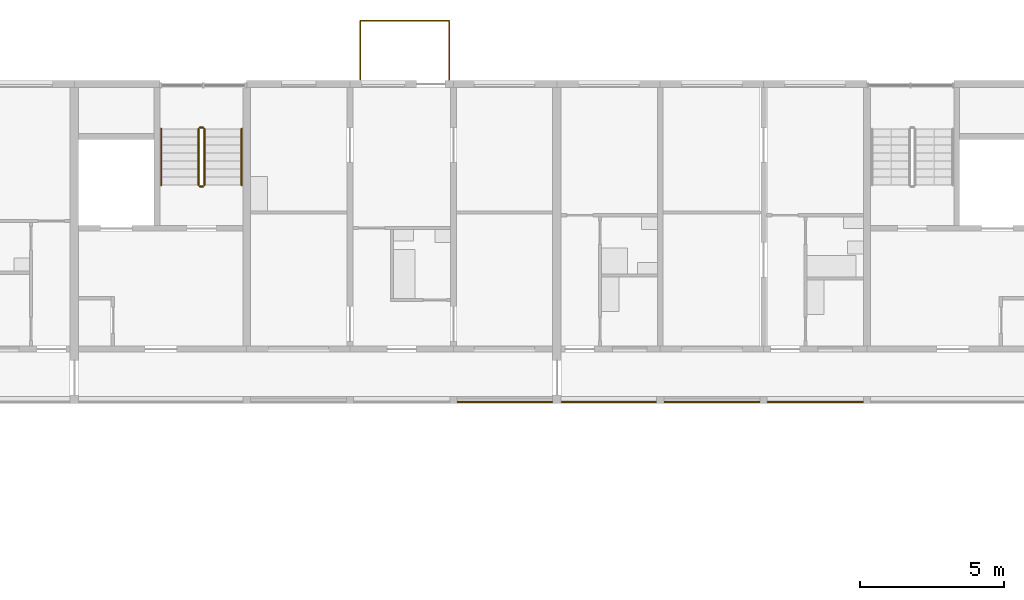
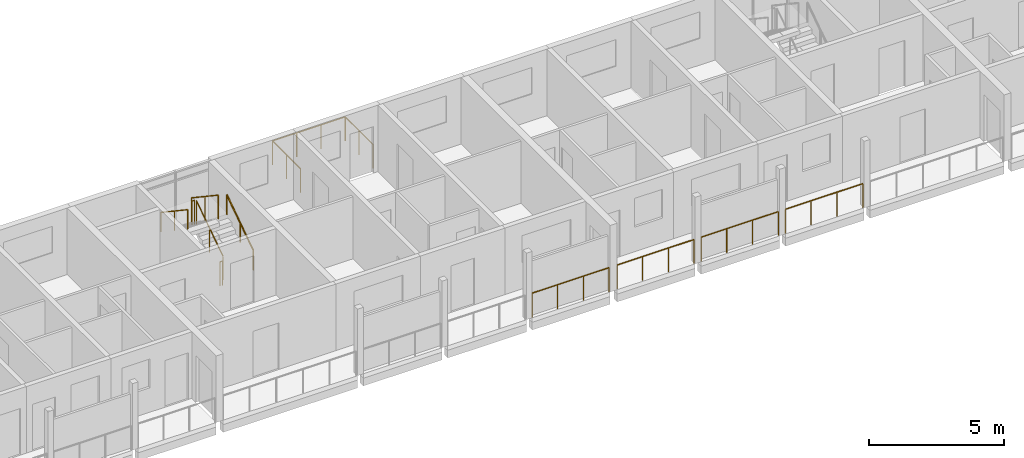
# One storey, part 100 of 115: 11 railings.
"""IFC4 building model written with IfcOpenShell, lengths in metres."""

from ifc_helpers import new_model, si_unit, direction, frame, origin, origin_2d, place, context, subcontext, project, spatial, circle, extrude, material, type_object, element, save


model = new_model("IFC4")

# Units and contexts
model_context = context("Model", 3, precision=1e-05, world=origin(), true_north=direction((0.0, 1.0)))
body_context = subcontext(model_context, "Body", "Model", "MODEL_VIEW")
ifc_project = project(units=[si_unit("LENGTHUNIT", "METRE"), si_unit("AREAUNIT", "SQUARE_METRE"), si_unit("VOLUMEUNIT", "CUBIC_METRE"), si_unit("PLANEANGLEUNIT", "RADIAN"), si_unit("MASSUNIT", "GRAM", prefix="KILO")], contexts=[model_context])

# Site, building, storey
site_placement = place(None, origin())
site = spatial("IfcSite", under=ifc_project, at=site_placement, CompositionType="ELEMENT")
building_placement = place(site_placement, origin())
building = spatial("IfcBuilding", under=site, at=building_placement, Name="Ridgestep Commons", CompositionType="ELEMENT")
storey_placement = place(building_placement, frame((0.0, 0.0, 6.0)))
storey = spatial("IfcBuildingStorey", under=building, at=storey_placement, Name="L02", CompositionType="ELEMENT", Elevation=6.0)

# Railings
ifc_material_1 = material(Name="Structural steel S355JR", Category="steel")
railing_type_1 = type_object("IfcRailingType", Name="Guard 1100", PredefinedType="GUARDRAIL", material=ifc_material_1)
for number, where, name in (
    (1, (58.946044921875, 66.050048828125, 0.0), "Gallery guard B 02.12"),
    (2, (62.571044921875, 66.050048828125, 0.0), "Gallery guard B 02.13"),
):
    element("IfcRailing", number, at=place(storey_placement, frame(where)), inside=storey, type_object=railing_type_1, Name=name, PredefinedType="GUARDRAIL", context=body_context, shape_type="SweptSolid", body=[
        extrude(circle(Radius=0.02392578125, at=origin_2d()), frame((0.0, 0.0, 1.076171875), z_axis=(1.0, 0.0, 0.0), x_axis=(0.0, 1.0, 0.0)), (0.0, 0.0, 1.0), 3.282958984375),
        extrude(circle(Radius=0.02099609375, at=origin_2d()), origin(), (0.0, 0.0, 1.0), 1.052001953125),
        extrude(circle(Radius=0.02099609375, at=origin_2d()), frame((1.09423828125, 0.0, 0.0)), (0.0, 0.0, 1.0), 1.052001953125),
        extrude(circle(Radius=0.02099609375, at=origin_2d()), frame((2.188720703125, 0.0, 0.0)), (0.0, 0.0, 1.0), 1.052001953125),
        extrude(circle(Radius=0.02099609375, at=origin_2d()), frame((3.282958984375, 0.0, 0.0)), (0.0, 0.0, 1.0), 1.052001953125),
    ])
railing_1_placement = place(storey_placement, frame((66.14599609375, 66.050048828125, 0.0)))
element("IfcRailing", 3, at=railing_1_placement, inside=storey, type_object=railing_type_1, Name="Gallery guard B 02.14", PredefinedType="GUARDRAIL", context=body_context, shape_type="SweptSolid", body=[
    extrude(circle(Radius=0.02392578125, at=origin_2d()), frame((0.0, 0.0, 1.076171875), z_axis=(1.0, 0.0, 0.0), x_axis=(0.0, 1.0, 0.0)), (0.0, 0.0, 1.0), 3.30810546875),
    extrude(circle(Radius=0.02099609375, at=origin_2d()), origin(), (0.0, 0.0, 1.0), 1.052001953125),
    extrude(circle(Radius=0.02099609375, at=origin_2d()), frame((1.102783203125, 0.0, 0.0)), (0.0, 0.0, 1.0), 1.052001953125),
    extrude(circle(Radius=0.02099609375, at=origin_2d()), frame((2.205322265625, 0.0, 0.0)), (0.0, 0.0, 1.0), 1.052001953125),
    extrude(circle(Radius=0.02099609375, at=origin_2d()), frame((3.30810546875, 0.0, 0.0)), (0.0, 0.0, 1.0), 1.052001953125),
])
railing_2_placement = place(storey_placement, frame((69.74609375, 66.050048828125, 0.0)))
element("IfcRailing", 4, at=railing_2_placement, inside=storey, type_object=railing_type_1, Name="Gallery guard B 02.15", PredefinedType="GUARDRAIL", context=body_context, shape_type="SweptSolid", body=[
    extrude(circle(Radius=0.02392578125, at=origin_2d()), frame((0.0, 0.0, 1.076171875), z_axis=(1.0, 0.0, 0.0), x_axis=(0.0, 1.0, 0.0)), (0.0, 0.0, 1.0), 3.307861328125),
    extrude(circle(Radius=0.02099609375, at=origin_2d()), origin(), (0.0, 0.0, 1.0), 1.052001953125),
    extrude(circle(Radius=0.02099609375, at=origin_2d()), frame((1.1025390625, 0.0, 0.0)), (0.0, 0.0, 1.0), 1.052001953125),
    extrude(circle(Radius=0.02099609375, at=origin_2d()), frame((2.205322265625, 0.0, 0.0)), (0.0, 0.0, 1.0), 1.052001953125),
    extrude(circle(Radius=0.02099609375, at=origin_2d()), frame((3.307861328125, 0.0, 0.0)), (0.0, 0.0, 1.0), 1.052001953125),
])
ifc_material_2 = material(Name="Structural steel S355JR", Category="steel")
railing_type_2 = type_object("IfcRailingType", Name="Stair guard 1100", PredefinedType="GUARDRAIL", material=ifc_material_2)
railing_3_placement = place(storey_placement, frame((50.125, 73.60009765625, 0.1875)))
element("IfcRailing", 5, at=railing_3_placement, inside=storey, type_object=railing_type_2, Name="L02 B3C stair guard 1", PredefinedType="GUARDRAIL", context=body_context, shape_type="SweptSolid", body=[
    extrude(circle(Radius=0.02392578125, at=origin_2d()), frame((0.0, 0.0, 1.076171875), z_axis=(0.0, 0.830902050051, 0.556418712142), x_axis=(-1.0, 0.0, 0.0)), (0.0, 0.0, 1.0), 2.35888671875),
    extrude(circle(Radius=0.02099609375, at=origin_2d()), origin(), (0.0, 0.0, 1.0), 1.052001953125),
    extrude(circle(Radius=0.02099609375, at=origin_2d()), frame((0.0, 0.97998046875, 0.65625)), (0.0, 0.0, 1.0), 1.052001953125),
    extrude(circle(Radius=0.02099609375, at=origin_2d()), frame((0.0, 1.9599609375, 1.3125)), (0.0, 0.0, 1.0), 1.052001953125),
])
railing_4_placement = place(storey_placement, frame((50.074951171875, 75.610107421875, 1.5)))
element("IfcRailing", 6, at=railing_4_placement, inside=storey, type_object=railing_type_2, Name="L02 B3C stair guard 2", PredefinedType="GUARDRAIL", context=body_context, shape_type="SweptSolid", body=[
    extrude(circle(Radius=0.02392578125, at=origin_2d()), frame((0.0, 0.0, 1.076171875), z_axis=(-1.0, 0.0, 0.0), x_axis=(0.0, -1.0, 0.0)), (0.0, 0.0, 1.0), 0.099853515625),
    extrude(circle(Radius=0.02099609375, at=origin_2d()), origin(), (0.0, 0.0, 1.0), 1.052001953125),
    extrude(circle(Radius=0.02099609375, at=origin_2d()), frame((-0.099853515625, 0.0, 0.0)), (0.0, 0.0, 1.0), 1.052001953125),
])
railing_5_placement = place(storey_placement, frame((49.925048828125, 75.56005859375, 1.6875)))
element("IfcRailing", 7, at=railing_5_placement, inside=storey, type_object=railing_type_2, Name="L02 B3C stair guard 3", PredefinedType="GUARDRAIL", context=body_context, shape_type="SweptSolid", body=[
    extrude(circle(Radius=0.02392578125, at=origin_2d()), frame((0.0, 0.0, 1.076171875), z_axis=(0.0, -0.830902050051, 0.556418712142), x_axis=(1.0, 0.0, 0.0)), (0.0, 0.0, 1.0), 2.35888671875),
    extrude(circle(Radius=0.02099609375, at=origin_2d()), origin(), (0.0, 0.0, 1.0), 1.052001953125),
    extrude(circle(Radius=0.02099609375, at=origin_2d()), frame((0.0, -0.97998046875, 0.65625)), (0.0, 0.0, 1.0), 1.052001953125),
    extrude(circle(Radius=0.02099609375, at=origin_2d()), frame((0.0, -1.9599609375, 1.3125)), (0.0, 0.0, 1.0), 1.052001953125),
])
railing_6_placement = place(storey_placement, frame((50.074951171875, 73.550048828125, 0.0)))
element("IfcRailing", 8, at=railing_6_placement, inside=storey, type_object=railing_type_2, Name="L02 B3C stair guard 4", PredefinedType="GUARDRAIL", context=body_context, shape_type="SweptSolid", body=[
    extrude(circle(Radius=0.02392578125, at=origin_2d()), frame((0.0, 0.0, 1.076171875), z_axis=(-1.0, 0.0, 0.0), x_axis=(0.0, -1.0, 0.0)), (0.0, 0.0, 1.0), 0.099853515625),
    extrude(circle(Radius=0.02099609375, at=origin_2d()), origin(), (0.0, 0.0, 1.0), 1.052001953125),
    extrude(circle(Radius=0.02099609375, at=origin_2d()), frame((-0.099853515625, 0.0, 0.0)), (0.0, 0.0, 1.0), 1.052001953125),
])
ifc_material_3 = material(Name="Structural steel S355JR", Category="steel")
railing_type_3 = type_object("IfcRailingType", Name="Stair handrail 900", PredefinedType="HANDRAIL", material=ifc_material_3)
railing_7_placement = place(storey_placement, frame((51.425048828125, 73.60009765625, 0.1875)))
element("IfcRailing", 9, at=railing_7_placement, inside=storey, type_object=railing_type_3, Name="L02 B3C stair handrail 1", PredefinedType="HANDRAIL", context=body_context, shape_type="SweptSolid", body=[
    extrude(circle(Radius=0.02392578125, at=origin_2d()), frame((0.0, 0.0, 0.8759765625), z_axis=(0.0, 0.830902050051, 0.556418712142), x_axis=(-1.0, 0.0, 0.0)), (0.0, 0.0, 1.0), 2.35888671875),
    extrude(circle(Radius=0.02099609375, at=origin_2d()), origin(), (0.0, 0.0, 1.0), 0.851806640625),
    extrude(circle(Radius=0.02099609375, at=origin_2d()), frame((0.0, 0.97998046875, 0.65625)), (0.0, 0.0, 1.0), 0.851806640625),
    extrude(circle(Radius=0.02099609375, at=origin_2d()), frame((0.0, 1.9599609375, 1.3125)), (0.0, 0.0, 1.0), 0.851806640625),
])
railing_8_placement = place(storey_placement, frame((48.625, 75.56005859375, 1.6875)))
element("IfcRailing", 10, at=railing_8_placement, inside=storey, type_object=railing_type_3, Name="L02 B3C stair handrail 2", PredefinedType="HANDRAIL", context=body_context, shape_type="SweptSolid", body=[
    extrude(circle(Radius=0.02392578125, at=origin_2d()), frame((0.0, 0.0, 0.8759765625), z_axis=(0.0, -0.830902050051, 0.556418712142), x_axis=(1.0, 0.0, 0.0)), (0.0, 0.0, 1.0), 2.35888671875),
    extrude(circle(Radius=0.02099609375, at=origin_2d()), origin(), (0.0, 0.0, 1.0), 0.851806640625),
    extrude(circle(Radius=0.02099609375, at=origin_2d()), frame((0.0, -0.97998046875, 0.65625)), (0.0, 0.0, 1.0), 0.851806640625),
    extrude(circle(Radius=0.02099609375, at=origin_2d()), frame((0.0, -1.9599609375, 1.3125)), (0.0, 0.0, 1.0), 0.851806640625),
])
ifc_material_4 = material(Name="Weathering steel S355J2W", Category="steel")
railing_type_4 = type_object("IfcRailingType", Name="Tray guard 1100", PredefinedType="GUARDRAIL", material=ifc_material_4)
railing_9_placement = place(storey_placement, frame((55.551025390625, 77.27099609375, 0.0)))
element("IfcRailing", 11, at=railing_9_placement, inside=storey, type_object=railing_type_4, Name="Tray guard B3T2-02", PredefinedType="GUARDRAIL", context=body_context, shape_type="SweptSolid", body=[
    extrude(circle(Radius=0.02392578125, at=origin_2d()), frame((0.0, 0.0, 1.076171875), z_axis=(0.0, 1.0, 0.0), x_axis=(-1.0, 0.0, 0.0)), (0.0, 0.0, 1.0), 2.05810546875),
    extrude(circle(Radius=0.02392578125, at=origin_2d()), frame((0.0, 2.05810546875, 1.076171875), z_axis=(1.0, 0.0, 0.0), x_axis=(0.0, 1.0, 0.0)), (0.0, 0.0, 1.0), 3.097900390625),
    extrude(circle(Radius=0.02392578125, at=origin_2d()), frame((3.097900390625, 2.05810546875, 1.076171875), z_axis=(0.0, -1.0, 0.0), x_axis=(1.0, 0.0, 0.0)), (0.0, 0.0, 1.0), 2.05810546875),
    extrude(circle(Radius=0.02099609375, at=origin_2d()), origin(), (0.0, 0.0, 1.0), 1.052001953125),
    extrude(circle(Radius=0.02099609375, at=origin_2d()), frame((0.0, 1.029052734375, 0.0)), (0.0, 0.0, 1.0), 1.052001953125),
    extrude(circle(Radius=0.02099609375, at=origin_2d()), frame((0.0, 2.05810546875, 0.0)), (0.0, 0.0, 1.0), 1.052001953125),
    extrude(circle(Radius=0.02099609375, at=origin_2d()), frame((1.03271484375, 2.05810546875, 0.0)), (0.0, 0.0, 1.0), 1.052001953125),
    extrude(circle(Radius=0.02099609375, at=origin_2d()), frame((2.065185546875, 2.05810546875, 0.0)), (0.0, 0.0, 1.0), 1.052001953125),
    extrude(circle(Radius=0.02099609375, at=origin_2d()), frame((3.097900390625, 2.05810546875, 0.0)), (0.0, 0.0, 1.0), 1.052001953125),
    extrude(circle(Radius=0.02099609375, at=origin_2d()), frame((3.097900390625, 1.029052734375, 0.0)), (0.0, 0.0, 1.0), 1.052001953125),
    extrude(circle(Radius=0.02099609375, at=origin_2d()), frame((3.097900390625, 0.0, 0.0)), (0.0, 0.0, 1.0), 1.052001953125),
])

save(model, "model.ifc")
